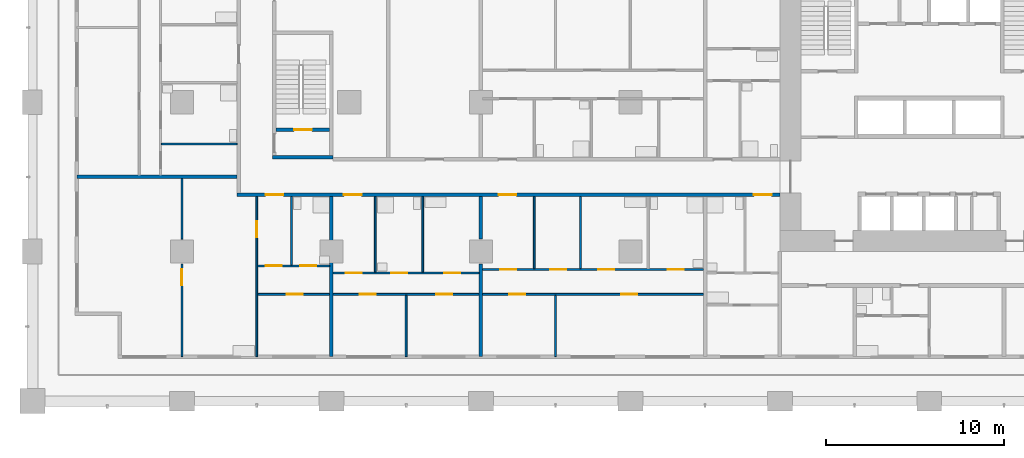
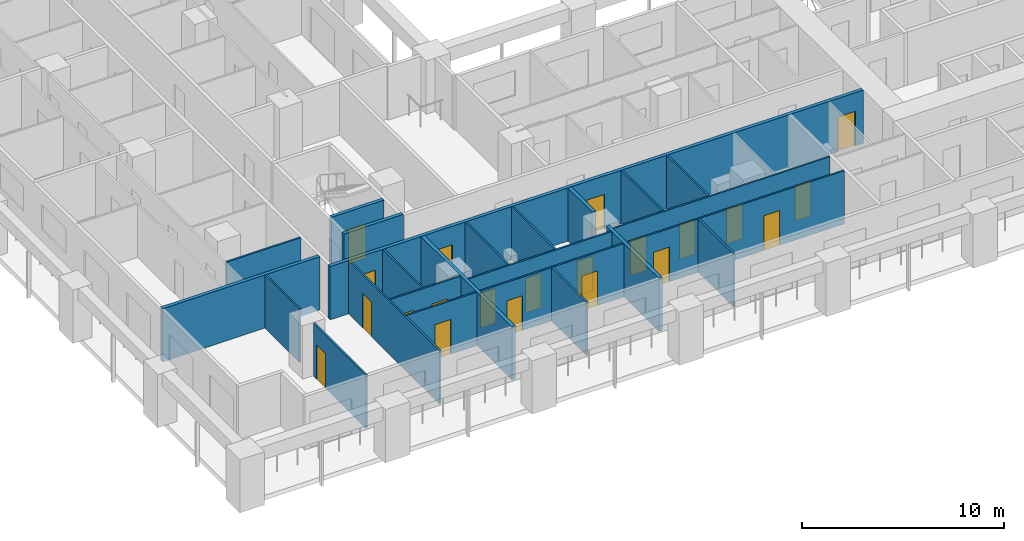
# One storey, part 2 of 19: 22 walls, 21 doors, 21 openings.
"""IFC4 building model written with IfcOpenShell, lengths in metres."""

from ifc_helpers import new_model, si_unit, direction, frame, frame_2d, origin, place, context, subcontext, project, spatial, rectangle, extrude, material, layer, layer_set, type_object, element, fill, save


model = new_model("IFC4")

# Units and contexts
model_context = context("Model", 3, precision=1e-05, world=origin(), true_north=direction((0.0, 1.0)))
body_context = subcontext(model_context, "Body", "Model", "MODEL_VIEW")
ifc_project = project(units=[si_unit("LENGTHUNIT", "METRE"), si_unit("AREAUNIT", "SQUARE_METRE"), si_unit("VOLUMEUNIT", "CUBIC_METRE"), si_unit("PLANEANGLEUNIT", "RADIAN"), si_unit("MASSUNIT", "GRAM", prefix="KILO")], contexts=[model_context])

# Site, building, storey
site_placement = place(None, origin())
site = spatial("IfcSite", under=ifc_project, at=site_placement, CompositionType="ELEMENT")
building_placement = place(site_placement, origin())
building = spatial("IfcBuilding", under=site, at=building_placement, Name="Vermilion Gate Residences", CompositionType="ELEMENT")
storey_placement = place(building_placement, frame((0.0, 0.0, 49.699951171875)))
storey = spatial("IfcBuildingStorey", under=building, at=storey_placement, Name="L11", CompositionType="ELEMENT", Elevation=49.699951171875)

# Wall, openings, doors
ifc_material_1 = material(Name="Plasterboard on steel studs", Category="steel")
ifc_layer_1 = layer(ifc_material_1, 0.10009765625)
ifc_layer_set_1 = layer_set([ifc_layer_1], Name="PARTITION 100")
wall_type_1 = type_object("IfcWallType", Name="PARTITION 100", PredefinedType="PARTITIONING", material=ifc_layer_set_1)
wall_1_placement = place(storey_placement, frame((12.64990234375, 6.0, 0.0), z_axis=(0.0, 0.0, 1.0), x_axis=(1.0, 0.0, 0.0)))
wall_1 = element("IfcWall", 1, at=wall_1_placement, inside=storey, type_object=wall_type_1, Name="Partition", PredefinedType="PARTITIONING", context=body_context, shape_type="SweptSolid", body=[
    extrude(rectangle(XDim=25.050048828125, YDim=0.10009765625, at=frame_2d((12.52490234375, 0.0))), origin(), (0.0, 0.0, 1.0), 3.219970703125),
])
opening_1_placement = place(wall_1_placement, frame((1.64990234375, 0.0, 0.0)))
opening_1 = element("IfcOpeningElement", 2, at=opening_1_placement, cuts=wall_1, Name="Opening DA10004", PredefinedType="OPENING", context=body_context, shape_type="SweptSolid", body=[
    extrude(rectangle(XDim=0.89990234375, YDim=2.10009765625, at=frame_2d((0.449951171875, 1.050048828125))), frame((0.0, 0.06005859375, 0.0), z_axis=(0.0, -1.0, 0.0), x_axis=(1.0, 0.0, 0.0)), (0.0, 0.0, 1.0), 0.1201171875),
])
opening_2_placement = place(wall_1_placement, frame((5.75, 0.0, 0.0)))
opening_2 = element("IfcOpeningElement", 3, at=opening_2_placement, cuts=wall_1, Name="Opening DA10005", PredefinedType="OPENING", context=body_context, shape_type="SweptSolid", body=[
    extrude(rectangle(XDim=0.89990234375, YDim=2.10009765625, at=frame_2d((0.449951171875, 1.050048828125))), frame((0.0, 0.06005859375, 0.0), z_axis=(0.0, -1.0, 0.0), x_axis=(1.0, 0.0, 0.0)), (0.0, 0.0, 1.0), 0.1201171875),
])
opening_3_placement = place(wall_1_placement, frame((10.050048828125, 0.0, 0.0)))
opening_3 = element("IfcOpeningElement", 4, at=opening_3_placement, cuts=wall_1, Name="Opening DA10006", PredefinedType="OPENING", context=body_context, shape_type="SweptSolid", body=[
    extrude(rectangle(XDim=0.89990234375, YDim=2.10009765625, at=frame_2d((0.449951171875, 1.050048828125))), frame((0.0, 0.06005859375, 0.0), z_axis=(0.0, -1.0, 0.0), x_axis=(1.0, 0.0, 0.0)), (0.0, 0.0, 1.0), 0.1201171875),
])
opening_4_placement = place(wall_1_placement, frame((14.14990234375, 0.0, 0.0)))
opening_4 = element("IfcOpeningElement", 5, at=opening_4_placement, cuts=wall_1, Name="Opening DA10007", PredefinedType="OPENING", context=body_context, shape_type="SweptSolid", body=[
    extrude(rectangle(XDim=0.89990234375, YDim=2.10009765625, at=frame_2d((0.449951171875, 1.050048828125))), frame((0.0, 0.06005859375, 0.0), z_axis=(0.0, -1.0, 0.0), x_axis=(1.0, 0.0, 0.0)), (0.0, 0.0, 1.0), 0.1201171875),
])
opening_5_placement = place(wall_1_placement, frame((20.449951171875, 0.0, 0.0)))
opening_5 = element("IfcOpeningElement", 6, at=opening_5_placement, cuts=wall_1, Name="Opening DA10008", PredefinedType="OPENING", context=body_context, shape_type="SweptSolid", body=[
    extrude(rectangle(XDim=0.89990234375, YDim=2.10009765625, at=frame_2d((0.449951171875, 1.050048828125))), frame((0.0, 0.06005859375, 0.0), z_axis=(0.0, -1.0, 0.0), x_axis=(1.0, 0.0, 0.0)), (0.0, 0.0, 1.0), 0.1201171875),
])
ifc_material_2 = material(Name="Timber", Category="wood")
door_type_1 = type_object("IfcDoorType", Name="INTERIOR DOOR 900 X 2100", OperationType="SINGLE_SWING_LEFT", PredefinedType="DOOR", material=ifc_material_2)
door_1_placement = place(opening_1_placement, frame((0.89990234375, 0.0, 0.0), z_axis=(0.0, 0.0, 1.0), x_axis=(-1.0, 0.0, 0.0)))
door_1 = element("IfcDoor", 7, at=door_1_placement, inside=storey, type_object=door_type_1, Name="Interior door", OperationType="SINGLE_SWING_LEFT", OverallHeight=2.10009765625, OverallWidth=0.89990234375, PredefinedType="DOOR", context=body_context, shape_type="SweptSolid", body=[
    extrude(rectangle(XDim=0.89990234375, YDim=2.10009765625, at=frame_2d((0.449951171875, 1.050048828125))), frame((0.0, 0.02490234375, 0.0), z_axis=(0.0, -1.0, 0.0), x_axis=(1.0, 0.0, 0.0)), (0.0, 0.0, 1.0), 0.050048828125),
])
fill(opening_1, door_1)
door_2_placement = place(opening_2_placement, frame((0.89990234375, 0.0, 0.0), z_axis=(0.0, 0.0, 1.0), x_axis=(-1.0, 0.0, 0.0)))
door_2 = element("IfcDoor", 8, at=door_2_placement, inside=storey, type_object=door_type_1, Name="Interior door", OperationType="SINGLE_SWING_RIGHT", OverallHeight=2.10009765625, OverallWidth=0.89990234375, PredefinedType="DOOR", context=body_context, shape_type="SweptSolid", body=[
    extrude(rectangle(XDim=0.89990234375, YDim=2.10009765625, at=frame_2d((0.449951171875, 1.050048828125))), frame((0.0, 0.02490234375, 0.0), z_axis=(0.0, -1.0, 0.0), x_axis=(1.0, 0.0, 0.0)), (0.0, 0.0, 1.0), 0.050048828125),
])
fill(opening_2, door_2)
door_3_placement = place(opening_3_placement, frame((0.89990234375, 0.0, 0.0), z_axis=(0.0, 0.0, 1.0), x_axis=(-1.0, 0.0, 0.0)))
door_3 = element("IfcDoor", 9, at=door_3_placement, inside=storey, type_object=door_type_1, Name="Interior door", OperationType="SINGLE_SWING_LEFT", OverallHeight=2.10009765625, OverallWidth=0.89990234375, PredefinedType="DOOR", context=body_context, shape_type="SweptSolid", body=[
    extrude(rectangle(XDim=0.89990234375, YDim=2.10009765625, at=frame_2d((0.449951171875, 1.050048828125))), frame((0.0, 0.02490234375, 0.0), z_axis=(0.0, -1.0, 0.0), x_axis=(1.0, 0.0, 0.0)), (0.0, 0.0, 1.0), 0.050048828125),
])
fill(opening_3, door_3)
door_4_placement = place(opening_4_placement, frame((0.89990234375, 0.0, 0.0), z_axis=(0.0, 0.0, 1.0), x_axis=(-1.0, 0.0, 0.0)))
door_4 = element("IfcDoor", 10, at=door_4_placement, inside=storey, type_object=door_type_1, Name="Interior door", OperationType="SINGLE_SWING_RIGHT", OverallHeight=2.10009765625, OverallWidth=0.89990234375, PredefinedType="DOOR", context=body_context, shape_type="SweptSolid", body=[
    extrude(rectangle(XDim=0.89990234375, YDim=2.10009765625, at=frame_2d((0.449951171875, 1.050048828125))), frame((0.0, 0.02490234375, 0.0), z_axis=(0.0, -1.0, 0.0), x_axis=(1.0, 0.0, 0.0)), (0.0, 0.0, 1.0), 0.050048828125),
])
fill(opening_4, door_4)
door_5_placement = place(opening_5_placement, frame((0.89990234375, 0.0, 0.0), z_axis=(0.0, 0.0, 1.0), x_axis=(-1.0, 0.0, 0.0)))
door_5 = element("IfcDoor", 11, at=door_5_placement, inside=storey, type_object=door_type_1, Name="Interior door", OperationType="SINGLE_SWING_RIGHT", OverallHeight=2.10009765625, OverallWidth=0.89990234375, PredefinedType="DOOR", context=body_context, shape_type="SweptSolid", body=[
    extrude(rectangle(XDim=0.89990234375, YDim=2.10009765625, at=frame_2d((0.449951171875, 1.050048828125))), frame((0.0, 0.02490234375, 0.0), z_axis=(0.0, -1.0, 0.0), x_axis=(1.0, 0.0, 0.0)), (0.0, 0.0, 1.0), 0.050048828125),
])
fill(opening_5, door_5)

wall_2_placement = place(storey_placement, frame((16.89990234375, 7.199951171875, 0.0), z_axis=(0.0, 0.0, 1.0), x_axis=(1.0, 0.0, 0.0)))
wall_2 = element("IfcWall", 12, at=wall_2_placement, inside=storey, type_object=wall_type_1, Name="Partition", PredefinedType="PARTITIONING", context=body_context, shape_type="SweptSolid", body=[
    extrude(rectangle(XDim=8.2001953125, YDim=0.10009765625, at=frame_2d((4.10009765625, 0.0))), origin(), (0.0, 0.0, 1.0), 3.219970703125),
])
opening_6_placement = place(wall_2_placement, frame((0.699951171875, 0.0, 0.0)))
opening_6 = element("IfcOpeningElement", 13, at=opening_6_placement, cuts=wall_2, Name="Opening DA10013", PredefinedType="OPENING", context=body_context, shape_type="SweptSolid", body=[
    extrude(rectangle(XDim=0.89990234375, YDim=2.10009765625, at=frame_2d((0.449951171875, 1.050048828125))), frame((0.0, 0.06005859375, 0.0), z_axis=(0.0, -1.0, 0.0), x_axis=(1.0, 0.0, 0.0)), (0.0, 0.0, 1.0), 0.1201171875),
])
opening_7_placement = place(wall_2_placement, frame((3.26708984375, 0.0, 0.0)))
opening_7 = element("IfcOpeningElement", 14, at=opening_7_placement, cuts=wall_2, Name="Opening DA10014", PredefinedType="OPENING", context=body_context, shape_type="SweptSolid", body=[
    extrude(rectangle(XDim=0.89990234375, YDim=2.10009765625, at=frame_2d((0.449951171875, 1.050048828125))), frame((0.0, 0.06005859375, 0.0), z_axis=(0.0, -1.0, 0.0), x_axis=(1.0, 0.0, 0.0)), (0.0, 0.0, 1.0), 0.1201171875),
])
opening_8_placement = place(wall_2_placement, frame((6.23291015625, 0.0, 0.0)))
opening_8 = element("IfcOpeningElement", 15, at=opening_8_placement, cuts=wall_2, Name="Opening DA10015", PredefinedType="OPENING", context=body_context, shape_type="SweptSolid", body=[
    extrude(rectangle(XDim=0.89990234375, YDim=2.10009765625, at=frame_2d((0.449951171875, 1.050048828125))), frame((0.0, 0.06005859375, 0.0), z_axis=(0.0, -1.0, 0.0), x_axis=(1.0, 0.0, 0.0)), (0.0, 0.0, 1.0), 0.1201171875),
])
door_6_placement = place(opening_6_placement, frame((0.89990234375, 0.0, 0.0), z_axis=(0.0, 0.0, 1.0), x_axis=(-1.0, 0.0, 0.0)))
door_6 = element("IfcDoor", 16, at=door_6_placement, inside=storey, type_object=door_type_1, Name="Interior door", OperationType="SINGLE_SWING_RIGHT", OverallHeight=2.10009765625, OverallWidth=0.89990234375, PredefinedType="DOOR", context=body_context, shape_type="SweptSolid", body=[
    extrude(rectangle(XDim=0.89990234375, YDim=2.10009765625, at=frame_2d((0.449951171875, 1.050048828125))), frame((0.0, 0.02490234375, 0.0), z_axis=(0.0, -1.0, 0.0), x_axis=(1.0, 0.0, 0.0)), (0.0, 0.0, 1.0), 0.050048828125),
])
fill(opening_6, door_6)
door_7_placement = place(opening_7_placement, origin())
door_7 = element("IfcDoor", 17, at=door_7_placement, inside=storey, type_object=door_type_1, Name="Interior door", OperationType="SINGLE_SWING_LEFT", OverallHeight=2.10009765625, OverallWidth=0.89990234375, PredefinedType="DOOR", context=body_context, shape_type="SweptSolid", body=[
    extrude(rectangle(XDim=0.89990234375, YDim=2.10009765625, at=frame_2d((0.449951171875, 1.050048828125))), frame((0.0, 0.02490234375, 0.0), z_axis=(0.0, -1.0, 0.0), x_axis=(1.0, 0.0, 0.0)), (0.0, 0.0, 1.0), 0.050048828125),
])
fill(opening_7, door_7)
door_8_placement = place(opening_8_placement, origin())
door_8 = element("IfcDoor", 18, at=door_8_placement, inside=storey, type_object=door_type_1, Name="Interior door", OperationType="SINGLE_SWING_RIGHT", OverallHeight=2.10009765625, OverallWidth=0.89990234375, PredefinedType="DOOR", context=body_context, shape_type="SweptSolid", body=[
    extrude(rectangle(XDim=0.89990234375, YDim=2.10009765625, at=frame_2d((0.449951171875, 1.050048828125))), frame((0.0, 0.02490234375, 0.0), z_axis=(0.0, -1.0, 0.0), x_axis=(1.0, 0.0, 0.0)), (0.0, 0.0, 1.0), 0.050048828125),
])
fill(opening_8, door_8)

wall_3_placement = place(storey_placement, frame((25.300048828125, 7.39990234375, 0.0), z_axis=(0.0, 0.0, 1.0), x_axis=(1.0, 0.0, 0.0)))
wall_3 = element("IfcWall", 19, at=wall_3_placement, inside=storey, type_object=wall_type_1, Name="Partition", PredefinedType="PARTITIONING", context=body_context, shape_type="SweptSolid", body=[
    extrude(rectangle(XDim=12.39990234375, YDim=0.10009765625, at=frame_2d((6.199951171875, 0.0))), origin(), (0.0, 0.0, 1.0), 3.219970703125),
])
opening_9_placement = place(wall_3_placement, frame((1.0, 0.0, 0.0)))
opening_9 = element("IfcOpeningElement", 20, at=opening_9_placement, cuts=wall_3, Name="Opening DA10018", PredefinedType="OPENING", context=body_context, shape_type="SweptSolid", body=[
    extrude(rectangle(XDim=0.89990234375, YDim=2.10009765625, at=frame_2d((0.449951171875, 1.050048828125))), frame((0.0, 0.06005859375, 0.0), z_axis=(0.0, -1.0, 0.0), x_axis=(1.0, 0.0, 0.0)), (0.0, 0.0, 1.0), 0.1201171875),
])
opening_10_placement = place(wall_3_placement, frame((3.800048828125, 0.0, 0.0)))
opening_10 = element("IfcOpeningElement", 21, at=opening_10_placement, cuts=wall_3, Name="Opening DA10019", PredefinedType="OPENING", context=body_context, shape_type="SweptSolid", body=[
    extrude(rectangle(XDim=0.89990234375, YDim=2.10009765625, at=frame_2d((0.449951171875, 1.050048828125))), frame((0.0, 0.06005859375, 0.0), z_axis=(0.0, -1.0, 0.0), x_axis=(1.0, 0.0, 0.0)), (0.0, 0.0, 1.0), 0.1201171875),
])
opening_11_placement = place(wall_3_placement, frame((6.5, 0.0, 0.0)))
opening_11 = element("IfcOpeningElement", 22, at=opening_11_placement, cuts=wall_3, Name="Opening DA10020", PredefinedType="OPENING", context=body_context, shape_type="SweptSolid", body=[
    extrude(rectangle(XDim=0.89990234375, YDim=2.10009765625, at=frame_2d((0.449951171875, 1.050048828125))), frame((0.0, 0.06005859375, 0.0), z_axis=(0.0, -1.0, 0.0), x_axis=(1.0, 0.0, 0.0)), (0.0, 0.0, 1.0), 0.1201171875),
])
opening_12_placement = place(wall_3_placement, frame((10.39990234375, 0.0, 0.0)))
opening_12 = element("IfcOpeningElement", 23, at=opening_12_placement, cuts=wall_3, Name="Opening DA10021", PredefinedType="OPENING", context=body_context, shape_type="SweptSolid", body=[
    extrude(rectangle(XDim=0.89990234375, YDim=2.10009765625, at=frame_2d((0.449951171875, 1.050048828125))), frame((0.0, 0.06005859375, 0.0), z_axis=(0.0, -1.0, 0.0), x_axis=(1.0, 0.0, 0.0)), (0.0, 0.0, 1.0), 0.1201171875),
])
door_9_placement = place(opening_9_placement, origin())
door_9 = element("IfcDoor", 24, at=door_9_placement, inside=storey, type_object=door_type_1, Name="Interior door", OperationType="SINGLE_SWING_RIGHT", OverallHeight=2.10009765625, OverallWidth=0.89990234375, PredefinedType="DOOR", context=body_context, shape_type="SweptSolid", body=[
    extrude(rectangle(XDim=0.89990234375, YDim=2.10009765625, at=frame_2d((0.449951171875, 1.050048828125))), frame((0.0, 0.02490234375, 0.0), z_axis=(0.0, -1.0, 0.0), x_axis=(1.0, 0.0, 0.0)), (0.0, 0.0, 1.0), 0.050048828125),
])
fill(opening_9, door_9)
door_10_placement = place(opening_10_placement, origin())
door_10 = element("IfcDoor", 25, at=door_10_placement, inside=storey, type_object=door_type_1, Name="Interior door", OperationType="SINGLE_SWING_RIGHT", OverallHeight=2.10009765625, OverallWidth=0.89990234375, PredefinedType="DOOR", context=body_context, shape_type="SweptSolid", body=[
    extrude(rectangle(XDim=0.89990234375, YDim=2.10009765625, at=frame_2d((0.449951171875, 1.050048828125))), frame((0.0, 0.02490234375, 0.0), z_axis=(0.0, -1.0, 0.0), x_axis=(1.0, 0.0, 0.0)), (0.0, 0.0, 1.0), 0.050048828125),
])
fill(opening_10, door_10)
door_11_placement = place(opening_11_placement, origin())
door_11 = element("IfcDoor", 26, at=door_11_placement, inside=storey, type_object=door_type_1, Name="Interior door", OperationType="SINGLE_SWING_LEFT", OverallHeight=2.10009765625, OverallWidth=0.89990234375, PredefinedType="DOOR", context=body_context, shape_type="SweptSolid", body=[
    extrude(rectangle(XDim=0.89990234375, YDim=2.10009765625, at=frame_2d((0.449951171875, 1.050048828125))), frame((0.0, 0.02490234375, 0.0), z_axis=(0.0, -1.0, 0.0), x_axis=(1.0, 0.0, 0.0)), (0.0, 0.0, 1.0), 0.050048828125),
])
fill(opening_11, door_11)
door_12_placement = place(opening_12_placement, origin())
door_12 = element("IfcDoor", 27, at=door_12_placement, inside=storey, type_object=door_type_1, Name="Interior door", OperationType="SINGLE_SWING_RIGHT", OverallHeight=2.10009765625, OverallWidth=0.89990234375, PredefinedType="DOOR", context=body_context, shape_type="SweptSolid", body=[
    extrude(rectangle(XDim=0.89990234375, YDim=2.10009765625, at=frame_2d((0.449951171875, 1.050048828125))), frame((0.0, 0.02490234375, 0.0), z_axis=(0.0, -1.0, 0.0), x_axis=(1.0, 0.0, 0.0)), (0.0, 0.0, 1.0), 0.050048828125),
])
fill(opening_12, door_12)

wall_4_placement = place(storey_placement, frame((12.64990234375, 7.60009765625, 0.0), z_axis=(0.0, 0.0, 1.0), x_axis=(1.0, 0.0, 0.0)))
wall_4 = element("IfcWall", 28, at=wall_4_placement, inside=storey, type_object=wall_type_1, Name="Partition", PredefinedType="PARTITIONING", context=body_context, shape_type="SweptSolid", body=[
    extrude(rectangle(XDim=4.050048828125, YDim=0.10009765625, at=frame_2d((2.02490234375, 0.0))), origin(), (0.0, 0.0, 1.0), 3.219970703125),
])
opening_13_placement = place(wall_4_placement, frame((0.449951171875, 0.0, 0.0)))
opening_13 = element("IfcOpeningElement", 29, at=opening_13_placement, cuts=wall_4, Name="Opening DA10022", PredefinedType="OPENING", context=body_context, shape_type="SweptSolid", body=[
    extrude(rectangle(XDim=0.89990234375, YDim=2.10009765625, at=frame_2d((0.449951171875, 1.050048828125))), frame((0.0, 0.06005859375, 0.0), z_axis=(0.0, -1.0, 0.0), x_axis=(1.0, 0.0, 0.0)), (0.0, 0.0, 1.0), 0.1201171875),
])
opening_14_placement = place(wall_4_placement, frame((2.409912109375, 0.0, 0.0)))
opening_14 = element("IfcOpeningElement", 30, at=opening_14_placement, cuts=wall_4, Name="Opening DA10023", PredefinedType="OPENING", context=body_context, shape_type="SweptSolid", body=[
    extrude(rectangle(XDim=0.89990234375, YDim=2.10009765625, at=frame_2d((0.449951171875, 1.050048828125))), frame((0.0, 0.06005859375, 0.0), z_axis=(0.0, -1.0, 0.0), x_axis=(1.0, 0.0, 0.0)), (0.0, 0.0, 1.0), 0.1201171875),
])
door_13_placement = place(opening_13_placement, frame((0.89990234375, 0.0, 0.0), z_axis=(0.0, 0.0, 1.0), x_axis=(-1.0, 0.0, 0.0)))
door_13 = element("IfcDoor", 31, at=door_13_placement, inside=storey, type_object=door_type_1, Name="Interior door", OperationType="SINGLE_SWING_RIGHT", OverallHeight=2.10009765625, OverallWidth=0.89990234375, PredefinedType="DOOR", context=body_context, shape_type="SweptSolid", body=[
    extrude(rectangle(XDim=0.89990234375, YDim=2.10009765625, at=frame_2d((0.449951171875, 1.050048828125))), frame((0.0, 0.02490234375, 0.0), z_axis=(0.0, -1.0, 0.0), x_axis=(1.0, 0.0, 0.0)), (0.0, 0.0, 1.0), 0.050048828125),
])
fill(opening_13, door_13)
door_14_placement = place(opening_14_placement, origin())
door_14 = element("IfcDoor", 32, at=door_14_placement, inside=storey, type_object=door_type_1, Name="Interior door", OperationType="SINGLE_SWING_RIGHT", OverallHeight=2.10009765625, OverallWidth=0.89990234375, PredefinedType="DOOR", context=body_context, shape_type="SweptSolid", body=[
    extrude(rectangle(XDim=0.89990234375, YDim=2.10009765625, at=frame_2d((0.449951171875, 1.050048828125))), frame((0.0, 0.02490234375, 0.0), z_axis=(0.0, -1.0, 0.0), x_axis=(1.0, 0.0, 0.0)), (0.0, 0.0, 1.0), 0.050048828125),
])
fill(opening_14, door_14)

# Wall
wall_5_placement = place(storey_placement, frame((7.25, 14.449951171875, 0.0), z_axis=(0.0, 0.0, 1.0), x_axis=(1.0, 0.0, 0.0)))
element("IfcWall", 33, at=wall_5_placement, inside=storey, type_object=wall_type_1, Name="Partition", PredefinedType="PARTITIONING", context=body_context, shape_type="SweptSolid", body=[
    extrude(rectangle(XDim=4.25, YDim=0.10009765625, at=frame_2d((2.125, 0.0))), origin(), (0.0, 0.0, 1.0), 3.219970703125),
])

# Wall, opening, door
wall_6_placement = place(storey_placement, frame((8.39990234375, 2.5, 0.0), z_axis=(0.0, 0.0, 1.0), x_axis=(0.0, 1.0, 0.0)))
wall_6 = element("IfcWall", 34, at=wall_6_placement, inside=storey, type_object=wall_type_1, Name="Partition", PredefinedType="PARTITIONING", context=body_context, shape_type="SweptSolid", body=[
    extrude(rectangle(XDim=5.199951171875, YDim=0.10009765625, at=frame_2d((2.60009765625, 0.0))), origin(), (0.0, 0.0, 1.0), 3.219970703125),
])
opening_15_placement = place(wall_6_placement, frame((4.0, 0.0, 0.0)))
opening_15 = element("IfcOpeningElement", 35, at=opening_15_placement, cuts=wall_6, Name="Opening DA10063", PredefinedType="OPENING", context=body_context, shape_type="SweptSolid", body=[
    extrude(rectangle(XDim=0.89990234375, YDim=2.10009765625, at=frame_2d((0.449951171875, 1.050048828125))), frame((0.0, 0.06005859375, 0.0), z_axis=(0.0, -1.0, 0.0), x_axis=(1.0, 0.0, 0.0)), (0.0, 0.0, 1.0), 0.1201171875),
])
door_15_placement = place(opening_15_placement, frame((0.89990234375, 0.0, 0.0), z_axis=(0.0, 0.0, 1.0), x_axis=(-1.0, 0.0, 0.0)))
door_15 = element("IfcDoor", 36, at=door_15_placement, inside=storey, type_object=door_type_1, Name="Interior door", OperationType="SINGLE_SWING_LEFT", OverallHeight=2.10009765625, OverallWidth=0.89990234375, PredefinedType="DOOR", context=body_context, shape_type="SweptSolid", body=[
    extrude(rectangle(XDim=0.89990234375, YDim=2.10009765625, at=frame_2d((0.449951171875, 1.050048828125))), frame((0.0, 0.02490234375, 0.0), z_axis=(0.0, -1.0, 0.0), x_axis=(1.0, 0.0, 0.0)), (0.0, 0.0, 1.0), 0.050048828125),
])
fill(opening_15, door_15)

# Wall
wall_7_placement = place(storey_placement, frame((8.39990234375, 9.10009765625, 0.0), z_axis=(0.0, 0.0, 1.0), x_axis=(0.0, 1.0, 0.0)))
element("IfcWall", 37, at=wall_7_placement, inside=storey, type_object=wall_type_1, Name="Partition", PredefinedType="PARTITIONING", context=body_context, shape_type="SweptSolid", body=[
    extrude(rectangle(XDim=3.39990234375, YDim=0.10009765625, at=frame_2d((1.699951171875, 0.0))), origin(), (0.0, 0.0, 1.0), 3.219970703125),
])

# Wall, opening, door
wall_8_placement = place(storey_placement, frame((12.60009765625, 2.5, 0.0), z_axis=(0.0, 0.0, 1.0), x_axis=(0.0, 1.0, 0.0)))
wall_8 = element("IfcWall", 38, at=wall_8_placement, inside=storey, type_object=wall_type_1, Name="Partition", PredefinedType="PARTITIONING", context=body_context, shape_type="SweptSolid", body=[
    extrude(rectangle(XDim=9.0, YDim=0.10009765625, at=frame_2d((4.5, 0.0))), origin(), (0.0, 0.0, 1.0), 3.219970703125),
])
opening_16_placement = place(wall_8_placement, frame((6.699951171875, 0.0, 0.0)))
opening_16 = element("IfcOpeningElement", 39, at=opening_16_placement, cuts=wall_8, Name="Opening DA10067", PredefinedType="OPENING", context=body_context, shape_type="SweptSolid", body=[
    extrude(rectangle(XDim=0.89990234375, YDim=2.10009765625, at=frame_2d((0.449951171875, 1.050048828125))), frame((0.0, 0.06005859375, 0.0), z_axis=(0.0, -1.0, 0.0), x_axis=(1.0, 0.0, 0.0)), (0.0, 0.0, 1.0), 0.1201171875),
])
door_16_placement = place(opening_16_placement, origin())
door_16 = element("IfcDoor", 40, at=door_16_placement, inside=storey, type_object=door_type_1, Name="Interior door", OperationType="SINGLE_SWING_RIGHT", OverallHeight=2.10009765625, OverallWidth=0.89990234375, PredefinedType="DOOR", context=body_context, shape_type="SweptSolid", body=[
    extrude(rectangle(XDim=0.89990234375, YDim=2.10009765625, at=frame_2d((0.449951171875, 1.050048828125))), frame((0.0, 0.02490234375, 0.0), z_axis=(0.0, -1.0, 0.0), x_axis=(1.0, 0.0, 0.0)), (0.0, 0.0, 1.0), 0.050048828125),
])
fill(opening_16, door_16)

# Walls
wall_9_placement = place(storey_placement, frame((14.56005859375, 7.64990234375, 0.0), z_axis=(0.0, 0.0, 1.0), x_axis=(0.0, 1.0, 0.0)))
element("IfcWall", 41, at=wall_9_placement, inside=storey, type_object=wall_type_1, Name="Partition", PredefinedType="PARTITIONING", context=body_context, shape_type="SweptSolid", body=[
    extrude(rectangle(XDim=3.85009765625, YDim=0.10009765625, at=frame_2d((1.925048828125, 0.0))), origin(), (0.0, 0.0, 1.0), 3.219970703125),
])
wall_10_placement = place(storey_placement, frame((19.26708984375, 7.25, 0.0), z_axis=(0.0, 0.0, 1.0), x_axis=(0.0, 1.0, 0.0)))
element("IfcWall", 42, at=wall_10_placement, inside=storey, type_object=wall_type_1, Name="Partition", PredefinedType="PARTITIONING", context=body_context, shape_type="SweptSolid", body=[
    extrude(rectangle(XDim=4.25, YDim=0.10009765625, at=frame_2d((2.125, 0.0))), origin(), (0.0, 0.0, 1.0), 3.219970703125),
])
wall_11_placement = place(storey_placement, frame((21.0, 2.5, 0.0), z_axis=(0.0, 0.0, 1.0), x_axis=(0.0, 1.0, 0.0)))
element("IfcWall", 43, at=wall_11_placement, inside=storey, type_object=wall_type_1, Name="Partition", PredefinedType="PARTITIONING", context=body_context, shape_type="SweptSolid", body=[
    extrude(rectangle(XDim=3.449951171875, YDim=0.10009765625, at=frame_2d((1.72509765625, 0.0))), origin(), (0.0, 0.0, 1.0), 3.219970703125),
])
wall_12_placement = place(storey_placement, frame((21.93310546875, 7.25, 0.0), z_axis=(0.0, 0.0, 1.0), x_axis=(0.0, 1.0, 0.0)))
element("IfcWall", 44, at=wall_12_placement, inside=storey, type_object=wall_type_1, Name="Partition", PredefinedType="PARTITIONING", context=body_context, shape_type="SweptSolid", body=[
    extrude(rectangle(XDim=4.25, YDim=0.10009765625, at=frame_2d((2.125, 0.0))), origin(), (0.0, 0.0, 1.0), 3.219970703125),
])
wall_13_placement = place(storey_placement, frame((28.199951171875, 7.449951171875, 0.0), z_axis=(0.0, 0.0, 1.0), x_axis=(0.0, 1.0, 0.0)))
element("IfcWall", 45, at=wall_13_placement, inside=storey, type_object=wall_type_1, Name="Partition", PredefinedType="PARTITIONING", context=body_context, shape_type="SweptSolid", body=[
    extrude(rectangle(XDim=4.050048828125, YDim=0.10009765625, at=frame_2d((2.02490234375, 0.0))), origin(), (0.0, 0.0, 1.0), 3.219970703125),
])
wall_14_placement = place(storey_placement, frame((29.39990234375, 2.5, 0.0), z_axis=(0.0, 0.0, 1.0), x_axis=(0.0, 1.0, 0.0)))
element("IfcWall", 46, at=wall_14_placement, inside=storey, type_object=wall_type_1, Name="Partition", PredefinedType="PARTITIONING", context=body_context, shape_type="SweptSolid", body=[
    extrude(rectangle(XDim=3.449951171875, YDim=0.10009765625, at=frame_2d((1.72509765625, 0.0))), origin(), (0.0, 0.0, 1.0), 3.219970703125),
])
wall_15_placement = place(storey_placement, frame((30.800048828125, 7.449951171875, 0.0), z_axis=(0.0, 0.0, 1.0), x_axis=(0.0, 1.0, 0.0)))
element("IfcWall", 47, at=wall_15_placement, inside=storey, type_object=wall_type_1, Name="Partition", PredefinedType="PARTITIONING", context=body_context, shape_type="SweptSolid", body=[
    extrude(rectangle(XDim=4.050048828125, YDim=0.10009765625, at=frame_2d((2.02490234375, 0.0))), origin(), (0.0, 0.0, 1.0), 3.219970703125),
])

# Wall, openings, doors
ifc_material_3 = material(Name="Fire-rated plasterboard on steel studs", Category="steel")
ifc_layer_2 = layer(ifc_material_3, 0.199951171875)
ifc_layer_set_2 = layer_set([ifc_layer_2], Name="PARTY WALL 200 EI 120")
wall_type_2 = type_object("IfcWallType", Name="PARTY WALL 200 EI 120", PredefinedType="PARTITIONING", material=ifc_layer_set_2)
wall_16_placement = place(storey_placement, frame((11.5, 11.60009765625, 0.0), z_axis=(0.0, 0.0, 1.0), x_axis=(1.0, 0.0, 0.0)))
wall_16 = element("IfcWall", 48, at=wall_16_placement, inside=storey, type_object=wall_type_2, Name="Party and corridor wall", PredefinedType="PARTITIONING", context=body_context, shape_type="SweptSolid", body=[
    extrude(rectangle(XDim=30.5, YDim=0.199951171875, at=frame_2d((15.25, 0.0))), origin(), (0.0, 0.0, 1.0), 3.219970703125),
])
opening_17_placement = place(wall_16_placement, frame((1.60009765625, 0.0, 0.0)))
opening_17 = element("IfcOpeningElement", 49, at=opening_17_placement, cuts=wall_16, Name="Opening DA10024", PredefinedType="OPENING", context=body_context, shape_type="SweptSolid", body=[
    extrude(rectangle(XDim=1.0, YDim=2.10009765625, at=frame_2d((0.5, 1.050048828125))), frame((0.0, 0.10986328125, 0.0), z_axis=(0.0, -1.0, 0.0), x_axis=(1.0, 0.0, 0.0)), (0.0, 0.0, 1.0), 0.219970703125),
])
opening_18_placement = place(wall_16_placement, frame((6.0, 0.0, 0.0)))
opening_18 = element("IfcOpeningElement", 50, at=opening_18_placement, cuts=wall_16, Name="Opening DA10025", PredefinedType="OPENING", context=body_context, shape_type="SweptSolid", body=[
    extrude(rectangle(XDim=1.0, YDim=2.10009765625, at=frame_2d((0.5, 1.050048828125))), frame((0.0, 0.10986328125, 0.0), z_axis=(0.0, -1.0, 0.0), x_axis=(1.0, 0.0, 0.0)), (0.0, 0.0, 1.0), 0.219970703125),
])
opening_19_placement = place(wall_16_placement, frame((14.699951171875, 0.0, 0.0)))
opening_19 = element("IfcOpeningElement", 51, at=opening_19_placement, cuts=wall_16, Name="Opening DA10026", PredefinedType="OPENING", context=body_context, shape_type="SweptSolid", body=[
    extrude(rectangle(XDim=1.0, YDim=2.10009765625, at=frame_2d((0.5, 1.050048828125))), frame((0.0, 0.10986328125, 0.0), z_axis=(0.0, -1.0, 0.0), x_axis=(1.0, 0.0, 0.0)), (0.0, 0.0, 1.0), 0.219970703125),
])
opening_20_placement = place(wall_16_placement, frame((29.0400390625, 0.0, 0.0)))
opening_20 = element("IfcOpeningElement", 52, at=opening_20_placement, cuts=wall_16, Name="Opening DA10027", PredefinedType="OPENING", context=body_context, shape_type="SweptSolid", body=[
    extrude(rectangle(XDim=1.0, YDim=2.10009765625, at=frame_2d((0.5, 1.050048828125))), frame((0.0, 0.10986328125, 0.0), z_axis=(0.0, -1.0, 0.0), x_axis=(1.0, 0.0, 0.0)), (0.0, 0.0, 1.0), 0.219970703125),
])
ifc_material_4 = material(Name="Steel", Category="steel")
door_type_2 = type_object("IfcDoorType", Name="ENTRANCE DOOR 1000 X 2100 FD30", OperationType="SINGLE_SWING_LEFT", PredefinedType="DOOR", material=ifc_material_4)
door_17_placement = place(opening_17_placement, frame((1.0, 0.0, 0.0), z_axis=(0.0, 0.0, 1.0), x_axis=(-1.0, 0.0, 0.0)))
door_17 = element("IfcDoor", 53, at=door_17_placement, inside=storey, type_object=door_type_2, Name="Entrance door", OperationType="SINGLE_SWING_LEFT", OverallHeight=2.10009765625, OverallWidth=1.0, PredefinedType="DOOR", context=body_context, shape_type="SweptSolid", body=[
    extrude(rectangle(XDim=1.0, YDim=2.10009765625, at=frame_2d((0.5, 1.050048828125))), frame((0.0, 0.02490234375, 0.0), z_axis=(0.0, -1.0, 0.0), x_axis=(1.0, 0.0, 0.0)), (0.0, 0.0, 1.0), 0.050048828125),
])
fill(opening_17, door_17)
door_18_placement = place(opening_18_placement, frame((1.0, 0.0, 0.0), z_axis=(0.0, 0.0, 1.0), x_axis=(-1.0, 0.0, 0.0)))
door_18 = element("IfcDoor", 54, at=door_18_placement, inside=storey, type_object=door_type_2, Name="Entrance door", OperationType="SINGLE_SWING_RIGHT", OverallHeight=2.10009765625, OverallWidth=1.0, PredefinedType="DOOR", context=body_context, shape_type="SweptSolid", body=[
    extrude(rectangle(XDim=1.0, YDim=2.10009765625, at=frame_2d((0.5, 1.050048828125))), frame((0.0, 0.02490234375, 0.0), z_axis=(0.0, -1.0, 0.0), x_axis=(1.0, 0.0, 0.0)), (0.0, 0.0, 1.0), 0.050048828125),
])
fill(opening_18, door_18)
door_19_placement = place(opening_19_placement, frame((1.0, 0.0, 0.0), z_axis=(0.0, 0.0, 1.0), x_axis=(-1.0, 0.0, 0.0)))
door_19 = element("IfcDoor", 55, at=door_19_placement, inside=storey, type_object=door_type_2, Name="Entrance door", OperationType="SINGLE_SWING_RIGHT", OverallHeight=2.10009765625, OverallWidth=1.0, PredefinedType="DOOR", context=body_context, shape_type="SweptSolid", body=[
    extrude(rectangle(XDim=1.0, YDim=2.10009765625, at=frame_2d((0.5, 1.050048828125))), frame((0.0, 0.02490234375, 0.0), z_axis=(0.0, -1.0, 0.0), x_axis=(1.0, 0.0, 0.0)), (0.0, 0.0, 1.0), 0.050048828125),
])
fill(opening_19, door_19)
door_20_placement = place(opening_20_placement, frame((1.0, 0.0, 0.0), z_axis=(0.0, 0.0, 1.0), x_axis=(-1.0, 0.0, 0.0)))
door_20 = element("IfcDoor", 56, at=door_20_placement, inside=storey, type_object=door_type_2, Name="Entrance door", OperationType="SINGLE_SWING_RIGHT", OverallHeight=2.10009765625, OverallWidth=1.0, PredefinedType="DOOR", context=body_context, shape_type="SweptSolid", body=[
    extrude(rectangle(XDim=1.0, YDim=2.10009765625, at=frame_2d((0.5, 1.050048828125))), frame((0.0, 0.02490234375, 0.0), z_axis=(0.0, -1.0, 0.0), x_axis=(1.0, 0.0, 0.0)), (0.0, 0.0, 1.0), 0.050048828125),
])
fill(opening_20, door_20)

# Walls
for number, where, z_axis, x_axis, name in (
    (57, (2.5, 12.60009765625, 0.0), (0.0, 0.0, 1.0), (1.0, 0.0, 0.0), "Party and corridor wall"),
    (58, (16.800048828125, 2.5, 0.0), (0.0, 0.0, 1.0), (0.0, 1.0, 0.0), "Party and corridor wall"),
):
    element("IfcWall", number, at=place(storey_placement, frame(where, z_axis=z_axis, x_axis=x_axis)), inside=storey, type_object=wall_type_2, Name=name, PredefinedType="PARTITIONING", context=body_context, shape_type="SweptSolid", body=[
        extrude(rectangle(XDim=9.0, YDim=0.199951171875, at=frame_2d((4.5, 0.0))), origin(), (0.0, 0.0, 1.0), 3.219970703125),
    ])
wall_17_placement = place(storey_placement, frame((25.199951171875, 2.5, 0.0), z_axis=(0.0, 0.0, 1.0), x_axis=(0.0, 1.0, 0.0)))
element("IfcWall", 59, at=wall_17_placement, inside=storey, type_object=wall_type_2, Name="Party and corridor wall", PredefinedType="PARTITIONING", context=body_context, shape_type="SweptSolid", body=[
    extrude(rectangle(XDim=5.199951171875, YDim=0.199951171875, at=frame_2d((2.60009765625, 0.0))), origin(), (0.0, 0.0, 1.0), 3.219970703125),
])
wall_18_placement = place(storey_placement, frame((25.199951171875, 9.10009765625, 0.0), z_axis=(0.0, 0.0, 1.0), x_axis=(0.0, 1.0, 0.0)))
element("IfcWall", 60, at=wall_18_placement, inside=storey, type_object=wall_type_2, Name="Party and corridor wall", PredefinedType="PARTITIONING", context=body_context, shape_type="SweptSolid", body=[
    extrude(rectangle(XDim=2.39990234375, YDim=0.199951171875, at=frame_2d((1.199951171875, 0.0))), origin(), (0.0, 0.0, 1.0), 3.219970703125),
])
ifc_material_5 = material(Name="Concrete C60", Category="concrete")
ifc_layer_3 = layer(ifc_material_5, 0.199951171875)
ifc_layer_set_3 = layer_set([ifc_layer_3], Name="RC CORE INTERNAL WALL 200 C60")
wall_type_3 = type_object("IfcWallType", Name="RC CORE INTERNAL WALL 200 C60", PredefinedType="SHEAR", material=ifc_layer_set_3)
wall_19_placement = place(storey_placement, frame((13.5, 13.699951171875, 0.0), z_axis=(0.0, 0.0, 1.0), x_axis=(1.0, 0.0, 0.0)))
element("IfcWall", 61, at=wall_19_placement, inside=storey, type_object=wall_type_3, Name="Core internal wall C11-S", PredefinedType="SHEAR", context=body_context, shape_type="SweptSolid", body=[
    extrude(rectangle(XDim=3.39990234375, YDim=0.199951171875, at=frame_2d((1.699951171875, 0.0))), origin(), (0.0, 0.0, 1.0), 3.219970703125),
])

# Wall, opening, door
wall_20_placement = place(storey_placement, frame((13.699951171875, 15.25, 0.0), z_axis=(0.0, 0.0, 1.0), x_axis=(1.0, 0.0, 0.0)))
wall_20 = element("IfcWall", 62, at=wall_20_placement, inside=storey, type_object=wall_type_3, Name="Core internal wall C11-P", PredefinedType="SHEAR", context=body_context, shape_type="SweptSolid", body=[
    extrude(rectangle(XDim=3.0, YDim=0.199951171875, at=frame_2d((1.5, 0.0))), origin(), (0.0, 0.0, 1.0), 3.219970703125),
])
opening_21_placement = place(wall_20_placement, frame((1.0, 0.0, 0.0)))
opening_21 = element("IfcOpeningElement", 63, at=opening_21_placement, cuts=wall_20, Name="Opening DK11202", PredefinedType="OPENING", context=body_context, shape_type="SweptSolid", body=[
    extrude(rectangle(XDim=1.0, YDim=2.10009765625, at=frame_2d((0.5, 1.050048828125))), frame((0.0, 0.10986328125, 0.0), z_axis=(0.0, -1.0, 0.0), x_axis=(1.0, 0.0, 0.0)), (0.0, 0.0, 1.0), 0.219970703125),
])
ifc_material_6 = material(Name="Steel", Category="steel")
door_type_3 = type_object("IfcDoorType", Name="FIRE DOOR FD60 1000 X 2100", OperationType="SINGLE_SWING_LEFT", PredefinedType="DOOR", material=ifc_material_6)
door_21_placement = place(opening_21_placement, origin())
door_21 = element("IfcDoor", 64, at=door_21_placement, inside=storey, type_object=door_type_3, Name="Stair door C11", OperationType="SINGLE_SWING_LEFT", OverallHeight=2.10009765625, OverallWidth=1.0, PredefinedType="DOOR", context=body_context, shape_type="SweptSolid", body=[
    extrude(rectangle(XDim=1.0, YDim=2.10009765625, at=frame_2d((0.5, 1.050048828125))), frame((0.0, 0.02490234375, 0.0), z_axis=(0.0, -1.0, 0.0), x_axis=(1.0, 0.0, 0.0)), (0.0, 0.0, 1.0), 0.050048828125),
])
fill(opening_21, door_21)

save(model, "model.ifc")
